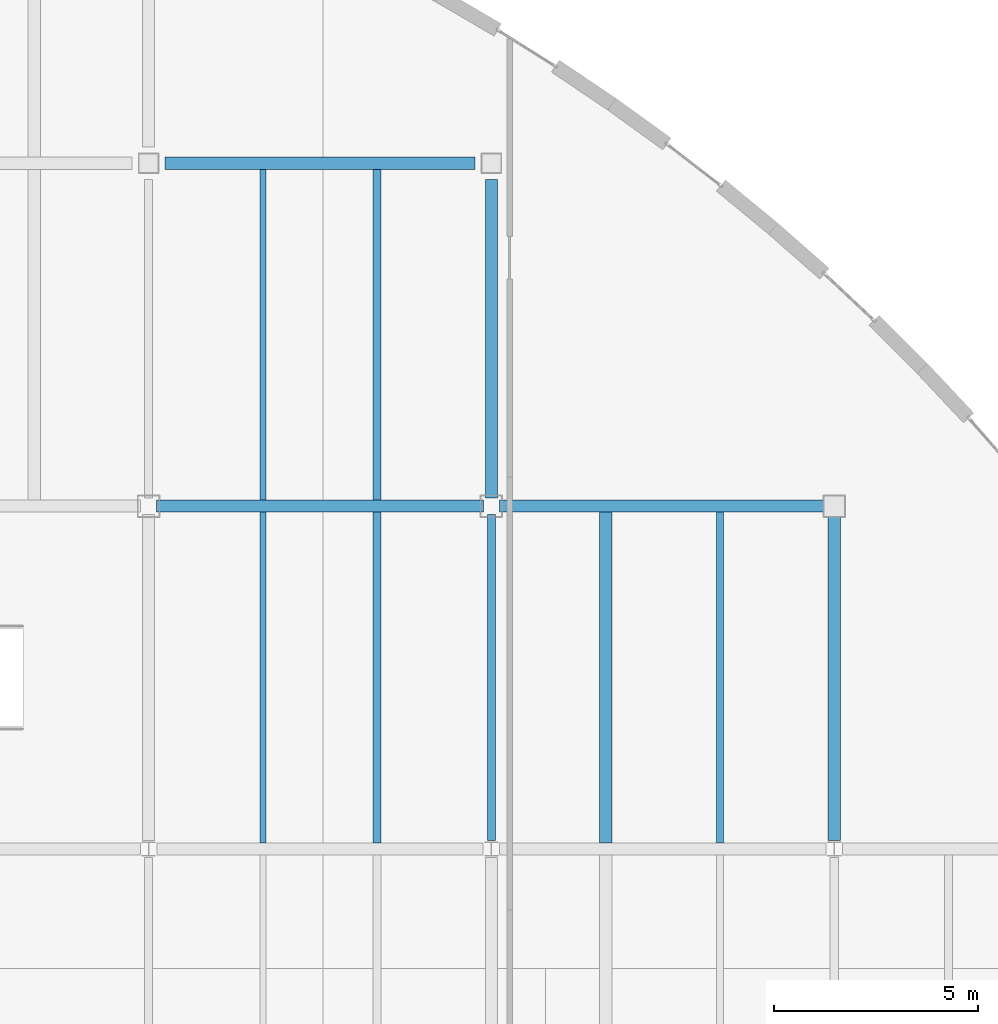
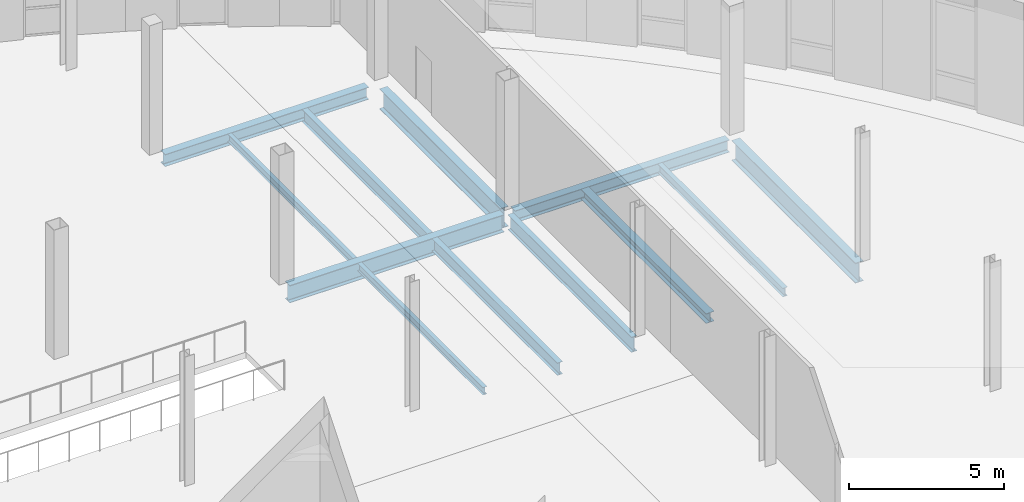
# One storey, part 55 of 104: 12 beams.
"""IFC4 building model written with IfcOpenShell, lengths in metres."""

from ifc_helpers import new_model, si_unit, direction, frame, origin, origin_2d, place, context, subcontext, project, spatial, i_section, extrude, material, material_profile, profile_set, type_object, element, save


model = new_model("IFC4")

# Units and contexts
model_context = context("Model", 3, precision=1e-05, world=origin(), true_north=direction((0.0, 1.0)))
body_context = subcontext(model_context, "Body", "Model", "MODEL_VIEW")
ifc_project = project(units=[si_unit("LENGTHUNIT", "METRE"), si_unit("AREAUNIT", "SQUARE_METRE"), si_unit("VOLUMEUNIT", "CUBIC_METRE"), si_unit("PLANEANGLEUNIT", "RADIAN"), si_unit("MASSUNIT", "GRAM", prefix="KILO"), si_unit("THERMODYNAMICTEMPERATUREUNIT", "KELVIN")], contexts=[model_context])

# Site, building, storey
site_placement = place(None, origin())
site = spatial("IfcSite", under=ifc_project, at=site_placement, CompositionType="ELEMENT")
building_placement = place(site_placement, origin())
building = spatial("IfcBuilding", under=site, at=building_placement, Name="Lustrewick Department Store", CompositionType="ELEMENT")
storey_placement = place(building_placement, frame((0.0, 0.0, 11.39990234375)))
storey = spatial("IfcBuildingStorey", under=building, at=storey_placement, Name="L03", CompositionType="ELEMENT", Elevation=11.39990234375)

# Beams
ifc_material = material(Name="Structural steel Q355B", Category="steel")
ifc_material_profile_1 = material_profile(ifc_material, i_section(OverallWidth=0.198974609375, OverallDepth=0.49609375, WebThickness=0.009033203125, FlangeThickness=0.013916015625, FilletRadius=0.01611328125, at=origin_2d()), Name="HN 496x199x9x14")
ifc_profile_set_1 = profile_set([ifc_material_profile_1], Name="Structural steel Q355B")
beam_type_1 = type_object("IfcBeamType", Name="B02", PredefinedType="JOIST", material=ifc_profile_set_1)
beam_1_placement = place(storey_placement, frame((140.0, 84.14990234375, -0.5029296875), z_axis=(0.0, 1.0, 0.0), x_axis=(-1.0, 0.0, 0.0)))
element("IfcBeam", 1, at=beam_1_placement, inside=storey, type_object=beam_type_1, Name="L03 V4 Secondary Joist B02", PredefinedType="JOIST", context=body_context, shape_type="SweptSolid", body=[
    extrude(i_section(OverallWidth=0.198974609375, OverallDepth=0.49609375, WebThickness=0.009033203125, FlangeThickness=0.013916015625, FilletRadius=0.01611328125, at=origin_2d()), origin(), (0.0, 0.0, 1.0), 8.10009765625),
])
beam_2_placement = place(storey_placement, frame((140.0, 92.550048828125, -0.5029296875), z_axis=(0.0, 1.0, 0.0), x_axis=(-1.0, 0.0, 0.0)))
element("IfcBeam", 2, at=beam_2_placement, inside=storey, type_object=beam_type_1, Name="L03 V4 Secondary Joist B02", PredefinedType="JOIST", context=body_context, shape_type="SweptSolid", body=[
    extrude(i_section(OverallWidth=0.198974609375, OverallDepth=0.49609375, WebThickness=0.009033203125, FlangeThickness=0.013916015625, FilletRadius=0.01611328125, at=origin_2d()), origin(), (0.0, 0.0, 1.0), 8.099853515625),
])
ifc_material_profile_2 = material_profile(ifc_material, i_section(OverallWidth=0.300048828125, OverallDepth=0.389892578125, WebThickness=0.010009765625, FlangeThickness=0.01611328125, FilletRadius=0.01806640625, at=origin_2d()), Name="HM 390x300x10x16")
ifc_profile_set_2 = profile_set([ifc_material_profile_2], Name="Structural steel Q355B")
beam_type_2 = type_object("IfcBeamType", Name="B07", PredefinedType="JOIST", material=ifc_profile_set_2)
beam_3_placement = place(storey_placement, frame((145.60009765625, 84.14990234375, -0.449951171875), z_axis=(0.0, 1.0, 0.0), x_axis=(-1.0, 0.0, 0.0)))
element("IfcBeam", 3, at=beam_3_placement, inside=storey, type_object=beam_type_2, Name="L03 V4 Secondary Joist B07", PredefinedType="JOIST", context=body_context, shape_type="SweptSolid", body=[
    extrude(i_section(OverallWidth=0.300048828125, OverallDepth=0.389892578125, WebThickness=0.010009765625, FlangeThickness=0.01611328125, FilletRadius=0.01806640625, at=origin_2d()), origin(), (0.0, 0.0, 1.0), 8.10009765625),
])
ifc_material_profile_3 = material_profile(ifc_material, i_section(OverallWidth=0.174072265625, OverallDepth=0.345947265625, WebThickness=0.006103515625, FlangeThickness=0.009033203125, FilletRadius=0.012939453125, at=origin_2d()), Name="HN 346x174x6x9")
ifc_profile_set_3 = profile_set([ifc_material_profile_3], Name="Structural steel Q355B")
beam_type_3 = type_object("IfcBeamType", Name="B10", PredefinedType="JOIST", material=ifc_profile_set_3)
beam_4_placement = place(storey_placement, frame((148.39990234375, 84.14990234375, -0.427978515625), z_axis=(0.0, 1.0, 0.0), x_axis=(-1.0, 0.0, 0.0)))
element("IfcBeam", 4, at=beam_4_placement, inside=storey, type_object=beam_type_3, Name="L03 V4 Secondary Joist B10", PredefinedType="JOIST", context=body_context, shape_type="SweptSolid", body=[
    extrude(i_section(OverallWidth=0.174072265625, OverallDepth=0.345947265625, WebThickness=0.006103515625, FlangeThickness=0.009033203125, FilletRadius=0.012939453125, at=origin_2d()), origin(), (0.0, 0.0, 1.0), 8.10009765625),
])
ifc_material_profile_4 = material_profile(ifc_material, i_section(OverallWidth=0.14990234375, OverallDepth=0.300048828125, WebThickness=0.006591796875, FlangeThickness=0.009033203125, FilletRadius=0.011962890625, at=origin_2d()), Name="HN 300x150x6.5x9")
ifc_profile_set_4 = profile_set([ifc_material_profile_4], Name="Structural steel Q355B")
beam_type_4 = type_object("IfcBeamType", Name="B11", PredefinedType="JOIST", material=ifc_profile_set_4)
beam_5_placement = place(storey_placement, frame((137.199951171875, 84.14990234375, -0.40478515625), z_axis=(0.0, 1.0, 0.0), x_axis=(-1.0, 0.0, 0.0)))
element("IfcBeam", 5, at=beam_5_placement, inside=storey, type_object=beam_type_4, Name="L03 V4 Secondary Joist B11", PredefinedType="JOIST", context=body_context, shape_type="SweptSolid", body=[
    extrude(i_section(OverallWidth=0.14990234375, OverallDepth=0.300048828125, WebThickness=0.006591796875, FlangeThickness=0.009033203125, FilletRadius=0.011962890625, at=origin_2d()), origin(), (0.0, 0.0, 1.0), 8.10009765625),
])
beam_6_placement = place(storey_placement, frame((137.199951171875, 92.550048828125, -0.40478515625), z_axis=(0.0, 1.0, 0.0), x_axis=(-1.0, 0.0, 0.0)))
element("IfcBeam", 6, at=beam_6_placement, inside=storey, type_object=beam_type_4, Name="L03 V4 Secondary Joist B11", PredefinedType="JOIST", context=body_context, shape_type="SweptSolid", body=[
    extrude(i_section(OverallWidth=0.14990234375, OverallDepth=0.300048828125, WebThickness=0.006591796875, FlangeThickness=0.009033203125, FilletRadius=0.011962890625, at=origin_2d()), origin(), (0.0, 0.0, 1.0), 8.099853515625),
])
ifc_material_profile_5 = material_profile(ifc_material, i_section(OverallWidth=0.300048828125, OverallDepth=0.800048828125, WebThickness=0.013916015625, FlangeThickness=0.02587890625, FilletRadius=0.02197265625, at=origin_2d()), Name="HN 800x300x14x26")
ifc_profile_set_5 = profile_set([ifc_material_profile_5], Name="Structural steel Q355B")
beam_type_5 = type_object("IfcBeamType", Name="G05", PredefinedType="BEAM", material=ifc_profile_set_5)
beam_7_placement = place(storey_placement, frame((142.800048828125, 92.60009765625, -0.65478515625), z_axis=(0.0, 1.0, 0.0), x_axis=(-1.0, 0.0, 0.0)))
element("IfcBeam", 7, at=beam_7_placement, inside=storey, type_object=beam_type_5, Name="L03 V4 Girder G05", PredefinedType="BEAM", context=body_context, shape_type="SweptSolid", body=[
    extrude(i_section(OverallWidth=0.300048828125, OverallDepth=0.800048828125, WebThickness=0.013916015625, FlangeThickness=0.02587890625, FilletRadius=0.02197265625, at=origin_2d()), origin(), (0.0, 0.0, 1.0), 7.7998046875),
])
beam_8_placement = place(storey_placement, frame((151.199951171875, 84.20703125, -0.65478515625), z_axis=(0.0, 1.0, 0.0), x_axis=(-1.0, 0.0, 0.0)))
element("IfcBeam", 8, at=beam_8_placement, inside=storey, type_object=beam_type_5, Name="L03 V4 Girder G05", PredefinedType="BEAM", context=body_context, shape_type="SweptSolid", body=[
    extrude(i_section(OverallWidth=0.300048828125, OverallDepth=0.800048828125, WebThickness=0.013916015625, FlangeThickness=0.02587890625, FilletRadius=0.02197265625, at=origin_2d()), origin(), (0.0, 0.0, 1.0), 7.992919921875),
])
ifc_material_profile_6 = material_profile(ifc_material, i_section(OverallWidth=0.300048828125, OverallDepth=0.69189453125, WebThickness=0.012939453125, FlangeThickness=0.02001953125, FilletRadius=0.02001953125, at=origin_2d()), Name="HN 692x300x13x20")
ifc_profile_set_6 = profile_set([ifc_material_profile_6], Name="Structural steel Q355B")
beam_type_6 = type_object("IfcBeamType", Name="G09", PredefinedType="BEAM", material=ifc_profile_set_6)
beam_9_placement = place(storey_placement, frame((134.60009765625, 92.39990234375, -0.600830078125), z_axis=(1.0, 0.0, 0.0), x_axis=(0.0, 1.0, 0.0)))
element("IfcBeam", 9, at=beam_9_placement, inside=storey, type_object=beam_type_6, Name="L03 V4 Girder G09", PredefinedType="BEAM", context=body_context, shape_type="SweptSolid", body=[
    extrude(i_section(OverallWidth=0.300048828125, OverallDepth=0.69189453125, WebThickness=0.012939453125, FlangeThickness=0.02001953125, FilletRadius=0.02001953125, at=origin_2d()), origin(), (0.0, 0.0, 1.0), 8.0),
])
ifc_material_profile_7 = material_profile(ifc_material, i_section(OverallWidth=0.199951171875, OverallDepth=0.60009765625, WebThickness=0.010986328125, FlangeThickness=0.01708984375, FilletRadius=0.01806640625, at=origin_2d()), Name="HN 600x200x11x17")
ifc_profile_set_7 = profile_set([ifc_material_profile_7], Name="Structural steel Q355B")
beam_type_7 = type_object("IfcBeamType", Name="G14", PredefinedType="BEAM", material=ifc_profile_set_7)
beam_10_placement = place(storey_placement, frame((142.800048828125, 84.20703125, -0.554931640625), z_axis=(0.0, 1.0, 0.0), x_axis=(-1.0, 0.0, 0.0)))
element("IfcBeam", 10, at=beam_10_placement, inside=storey, type_object=beam_type_7, Name="L03 V4 Girder G14", PredefinedType="BEAM", context=body_context, shape_type="SweptSolid", body=[
    extrude(i_section(OverallWidth=0.199951171875, OverallDepth=0.60009765625, WebThickness=0.010986328125, FlangeThickness=0.01708984375, FilletRadius=0.01806640625, at=origin_2d()), origin(), (0.0, 0.0, 1.0), 7.992919921875),
])
ifc_material_profile_8 = material_profile(ifc_material, i_section(OverallWidth=0.300048828125, OverallDepth=0.48193359375, WebThickness=0.010986328125, FlangeThickness=0.014892578125, FilletRadius=0.02197265625, at=origin_2d()), Name="HM 482x300x11x15")
ifc_profile_set_8 = profile_set([ifc_material_profile_8], Name="Structural steel Q355B")
beam_type_8 = type_object("IfcBeamType", Name="G20", PredefinedType="BEAM", material=ifc_profile_set_8)
beam_11_placement = place(storey_placement, frame((143.0, 92.39990234375, -0.495849609375), z_axis=(1.0, 0.0, 0.0), x_axis=(0.0, 1.0, 0.0)))
element("IfcBeam", 11, at=beam_11_placement, inside=storey, type_object=beam_type_8, Name="L03 V4 Girder G20", PredefinedType="BEAM", context=body_context, shape_type="SweptSolid", body=[
    extrude(i_section(OverallWidth=0.300048828125, OverallDepth=0.48193359375, WebThickness=0.010986328125, FlangeThickness=0.014892578125, FilletRadius=0.02197265625, at=origin_2d()), origin(), (0.0, 0.0, 1.0), 8.0),
])
beam_12_placement = place(storey_placement, frame((134.800048828125, 100.800048828125, -0.495849609375), z_axis=(1.0, 0.0, 0.0), x_axis=(0.0, 1.0, 0.0)))
element("IfcBeam", 12, at=beam_12_placement, inside=storey, type_object=beam_type_8, Name="L03 V4 Girder G20", PredefinedType="BEAM", context=body_context, shape_type="SweptSolid", body=[
    extrude(i_section(OverallWidth=0.300048828125, OverallDepth=0.48193359375, WebThickness=0.010986328125, FlangeThickness=0.014892578125, FilletRadius=0.02197265625, at=origin_2d()), origin(), (0.0, 0.0, 1.0), 7.599853515625),
])

save(model, "model.ifc")
